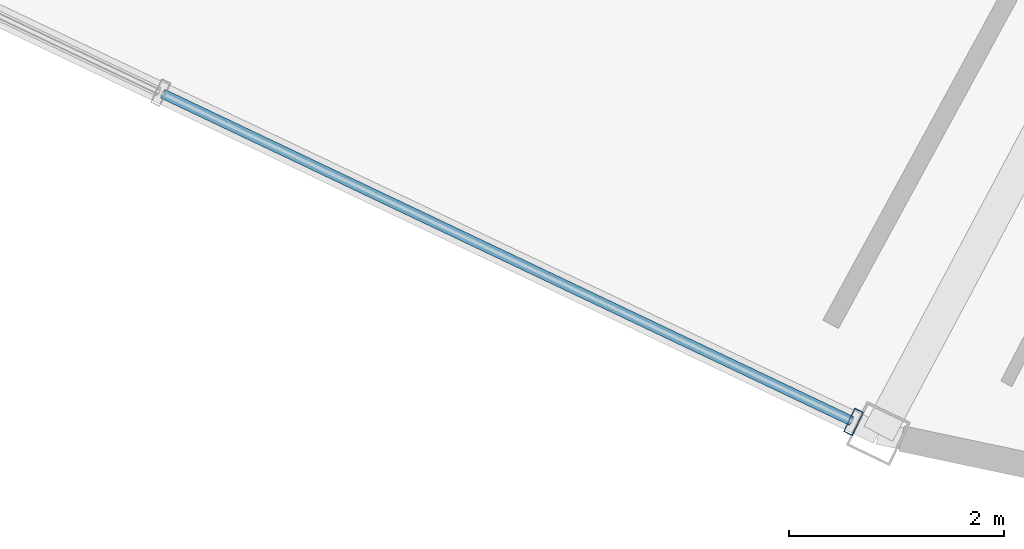
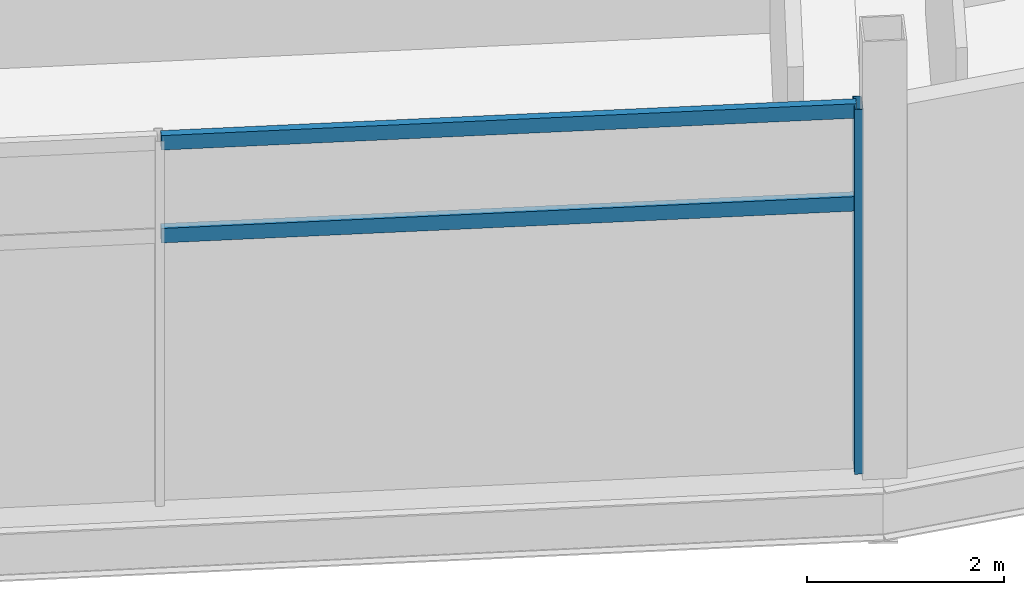
# One storey, part 15 of 103: 3 members, 1 element without a shape of its own.
"""IFC4 building model written with IfcOpenShell, lengths in metres."""

from ifc_helpers import new_model, si_unit, direction, frame, origin, origin_2d, place, context, subcontext, project, spatial, hollow_rectangle, extrude, material, layer, layer_set, material_profile, profile_set, type_object, element, aggregate, save


model = new_model("IFC4")

# Units and contexts
model_context = context("Model", 3, precision=1e-05, world=origin(), true_north=direction((0.0, 1.0)))
body_context = subcontext(model_context, "Body", "Model", "MODEL_VIEW")
ifc_project = project(units=[si_unit("LENGTHUNIT", "METRE"), si_unit("AREAUNIT", "SQUARE_METRE"), si_unit("VOLUMEUNIT", "CUBIC_METRE"), si_unit("PLANEANGLEUNIT", "RADIAN"), si_unit("MASSUNIT", "GRAM", prefix="KILO")], contexts=[model_context])

# Site, building, storey
site_placement = place(None, origin())
site = spatial("IfcSite", under=ifc_project, at=site_placement, CompositionType="ELEMENT")
building_placement = place(site_placement, origin())
building = spatial("IfcBuilding", under=site, at=building_placement, Name="Kazemori Nagisa Stadium", CompositionType="ELEMENT")
storey_placement = place(building_placement, frame((0.0, 0.0, 25.840087890625)))
storey = spatial("IfcBuildingStorey", under=building, at=storey_placement, Name="L05", CompositionType="ELEMENT", Elevation=25.840087890625)

# Curtain wall, members
ifc_material_1 = material(Name="Anodised aluminium 6063-T5", Category="aluminium")
ifc_layer = layer(ifc_material_1, 0.239990234375, Name="Anodised aluminium 6063-T5", Category="aluminium")
ifc_layer_set = layer_set([ifc_layer], Name="Anodised aluminium 6063-T5")
curtain_wall_type = type_object("IfcCurtainWallType", Name="CW_L05R3_107", PredefinedType="USERDEFINED", material=ifc_layer_set)
curtain_wall_placement = place(storey_placement, origin())
curtain_wall = element("IfcCurtainWall", 1, at=curtain_wall_placement, inside=storey, type_object=curtain_wall_type, Name="Unitised curtain wall CW-L05R3-107 L05", ObjectType="UNITISED CURTAIN WALL", PredefinedType="USERDEFINED")
ifc_material_2 = material(Name="Aluminium 6063-T5 anodised", Category="aluminium")
ifc_material_profile_1 = material_profile(ifc_material_2, hollow_rectangle(XDim=0.090087890625, YDim=0.239990234375, WallThickness=0.0048828125, at=origin_2d()), Name="ALU-MULL-90x240x5")
ifc_profile_set_1 = profile_set([ifc_material_profile_1], Name="Aluminium 6063-T5 anodised")
member_type_1 = type_object("IfcMemberType", Name="Mullion_M03", PredefinedType="MULLION", material=ifc_profile_set_1)
member_1_placement = place(storey_placement, frame((79.96484375, 21.645263671875, 0.0), z_axis=(0.0, 0.0, 1.0), x_axis=(0.903215892654, -0.429186499388, 0.0)))
member_1 = element("IfcMember", 2, at=member_1_placement, type_object=member_type_1, Name="Curtain wall mullion CW-L05R3-107-M4", PredefinedType="MULLION", context=body_context, shape_type="SweptSolid", body=[
    extrude(hollow_rectangle(XDim=0.090087890625, YDim=0.239990234375, WallThickness=0.0048828125, at=origin_2d()), origin(), (0.0, 0.0, 1.0), 4.530029296875),
])
ifc_material_profile_2 = material_profile(ifc_material_2, hollow_rectangle(XDim=0.090087890625, YDim=0.179931640625, WallThickness=0.0048828125, at=origin_2d()), Name="ALU-TRAN-90x180x5")
ifc_profile_set_2 = profile_set([ifc_material_profile_2], Name="Aluminium 6063-T5 anodised")
member_type_2 = type_object("IfcMemberType", Name="Transom_T03", PredefinedType="USERDEFINED", material=ifc_profile_set_2)
member_2_placement = place(storey_placement, frame((73.538818359375, 24.69873046875, 3.306884765625), z_axis=(0.903215145866, -0.429188070989, 0.0), x_axis=(0.429188070989, 0.903215145866, 0.0)))
member_2 = element("IfcMember", 3, at=member_2_placement, type_object=member_type_2, Name="Curtain wall transom CW-L05R3-107-T3-mid", ObjectType="TRANSOM", PredefinedType="USERDEFINED", context=body_context, shape_type="SweptSolid", body=[
    extrude(hollow_rectangle(XDim=0.090087890625, YDim=0.179931640625, WallThickness=0.0048828125, at=origin_2d()), origin(), (0.0, 0.0, 1.0), 7.0947265625),
])
member_3_placement = place(storey_placement, frame((73.538818359375, 24.69873046875, 4.4599609375), z_axis=(0.903215145866, -0.429188070989, 0.0), x_axis=(0.429188070989, 0.903215145866, 0.0)))
member_3 = element("IfcMember", 4, at=member_3_placement, type_object=member_type_2, Name="Curtain wall transom CW-L05R3-107-T3-head", ObjectType="TRANSOM", PredefinedType="USERDEFINED", context=body_context, shape_type="SweptSolid", body=[
    extrude(hollow_rectangle(XDim=0.090087890625, YDim=0.179931640625, WallThickness=0.0048828125, at=origin_2d()), origin(), (0.0, 0.0, 1.0), 7.0947265625),
])
aggregate(curtain_wall, [member_1, member_2, member_3])

save(model, "model.ifc")
